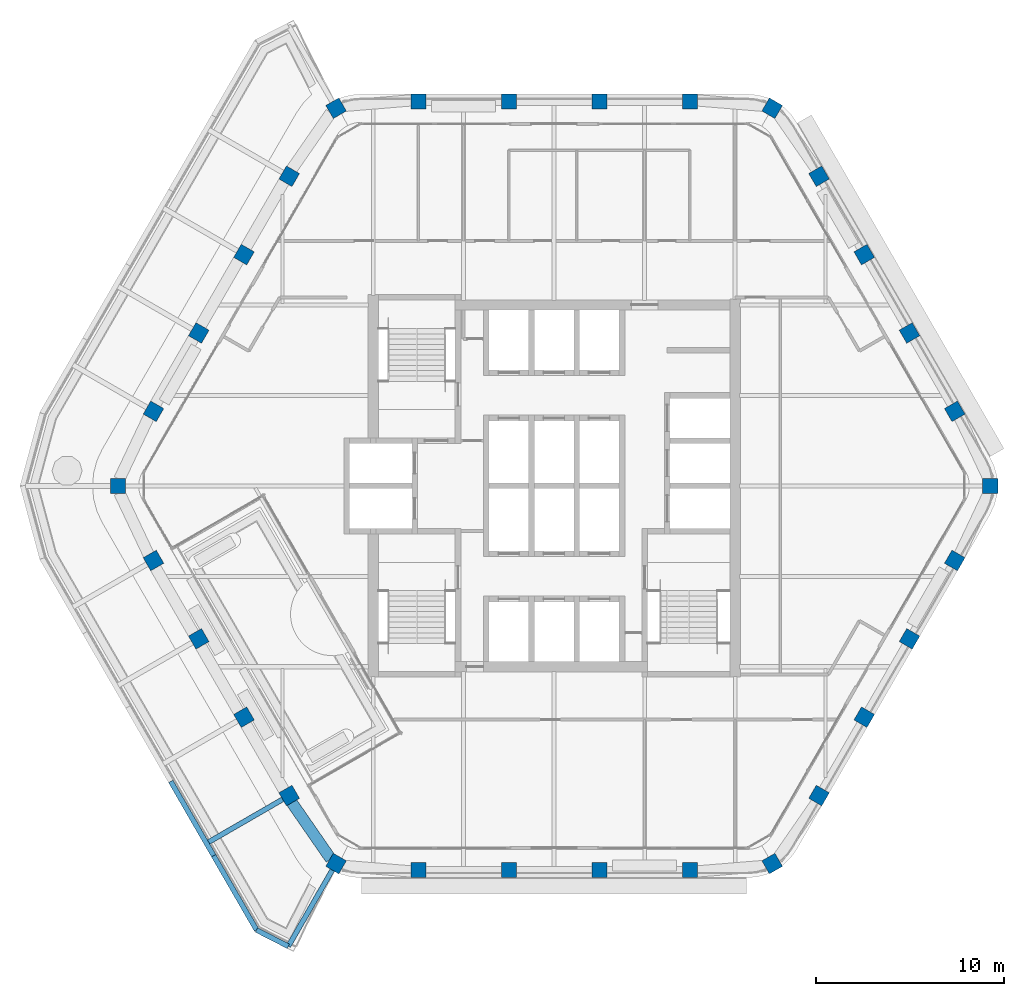
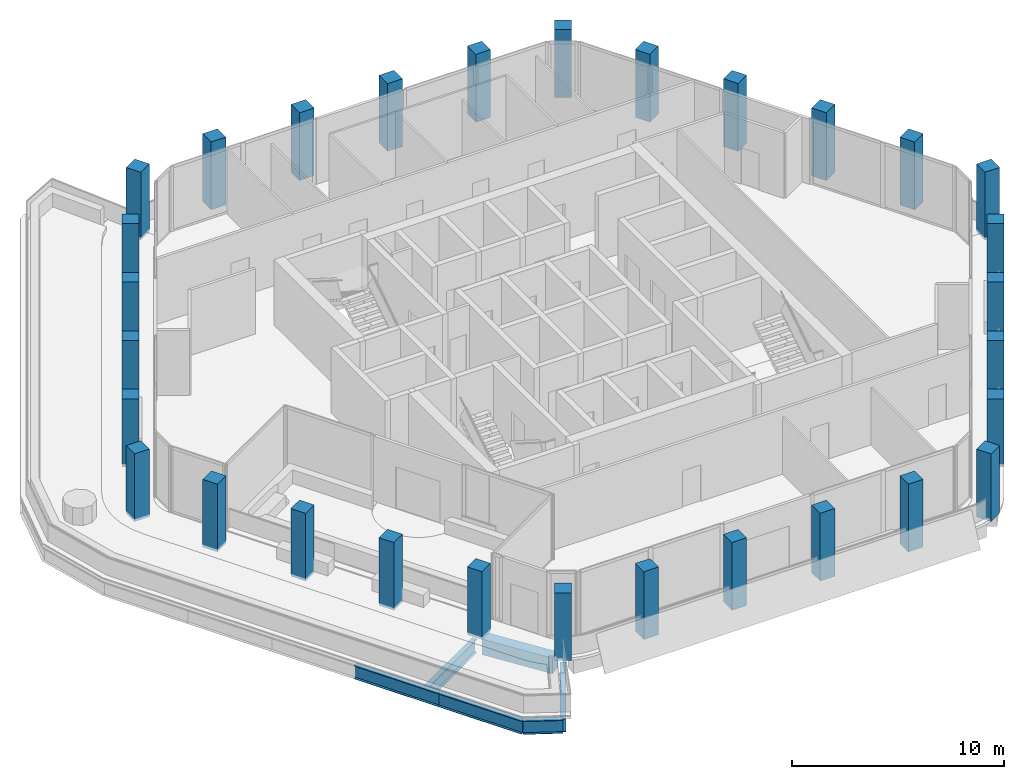
# One storey, part 1 of 15: 30 columns, 6 beams.
"""IFC4 building model written with IfcOpenShell, lengths in metres."""

from ifc_helpers import new_model, si_unit, direction, frame, origin, origin_2d, place, context, subcontext, project, spatial, rectangle, i_section, extrude, material, material_profile, profile_set, type_object, element, save


model = new_model("IFC4")

# Units and contexts
model_context = context("Model", 3, precision=1e-05, world=origin(), true_north=direction((0.0, 1.0)))
body_context = subcontext(model_context, "Body", "Model", "MODEL_VIEW")
ifc_project = project(units=[si_unit("LENGTHUNIT", "METRE"), si_unit("AREAUNIT", "SQUARE_METRE"), si_unit("VOLUMEUNIT", "CUBIC_METRE"), si_unit("PLANEANGLEUNIT", "RADIAN"), si_unit("MASSUNIT", "GRAM", prefix="KILO")], contexts=[model_context])

# Site, building, storey
site_placement = place(None, origin())
site = spatial("IfcSite", under=ifc_project, at=site_placement, CompositionType="ELEMENT")
building_placement = place(site_placement, origin())
building = spatial("IfcBuilding", under=site, at=building_placement, Name="Kolab Exchange Tower", CompositionType="ELEMENT")
storey_placement = place(building_placement, frame((0.0, 0.0, 238.39990234375)))
storey = spatial("IfcBuildingStorey", under=building, at=storey_placement, Name="L52", CompositionType="ELEMENT", Elevation=238.39990234375)

# Columns
ifc_material_1 = material(Name="Concrete C50/60", Category="concrete")
ifc_material_profile_1 = material_profile(ifc_material_1, rectangle(XDim=0.800048828125, YDim=0.800048828125, at=origin_2d()), Name="RC800")
ifc_profile_set_1 = profile_set([ifc_material_profile_1], Name="Concrete C50/60")
column_type = type_object("IfcColumnType", Name="PERIMETER COLUMN 800 SQ C50/60", PredefinedType="COLUMN", material=ifc_profile_set_1)
for number, where, z_axis, x_axis, name in (
    (1, (-11.56787109375, 20.036376953125, -0.14990234375), (0.0, 0.0, 1.0), (0.866025403784, 0.5, 0.0), "col/L52/F1-01"),
    (2, (-7.199951171875, 20.384521484375, -0.14990234375), (0.0, 0.0, 1.0), (1.0, 0.0, 0.0), "col/L52/F1-02"),
    (3, (-2.39990234375, 20.384521484375, -0.14990234375), (0.0, 0.0, 1.0), (1.0, 0.0, 0.0), "col/L52/F1-03"),
    (4, (2.39990234375, 20.384521484375, -0.14990234375), (0.0, 0.0, 1.0), (1.0, 0.0, 0.0), "col/L52/F1-04"),
    (5, (7.199951171875, 20.384521484375, -0.14990234375), (0.0, 0.0, 1.0), (1.0, 0.0, 0.0), "col/L52/F1-05"),
    (6, (11.56787109375, 20.036376953125, -0.14990234375), (0.0, 0.0, 1.0), (0.5, 0.866025403784, 0.0), "col/L52/F2-01"),
    (7, (14.0537109375, 16.427734375, -0.14990234375), (0.0, 0.0, 1.0), (0.866025403784, 0.5, 0.0), "col/L52/F2-02"),
    (8, (16.45361328125, 12.270751953125, -0.14990234375), (0.0, 0.0, 1.0), (0.866025403784, 0.5, 0.0), "col/L52/F2-03"),
    (9, (18.853515625, 8.11376953125, -0.14990234375), (0.0, 0.0, 1.0), (0.866025403784, 0.5, 0.0), "col/L52/F2-04"),
    (10, (21.253662109375, 3.95703125, -0.14990234375), (0.0, 0.0, 1.0), (0.866025403784, 0.5, 0.0), "col/L52/F2-05"),
    (11, (23.135986328125, 0.0, -0.14990234375), (0.0, 0.0, 1.0), (1.0, 0.0, 0.0), "col/L52/F3-01"),
    (12, (21.253662109375, -3.95703125, -0.14990234375), (0.0, 0.0, 1.0), (0.5, 0.866025403784, 0.0), "col/L52/F3-02"),
    (13, (18.853515625, -8.11376953125, -0.14990234375), (0.0, 0.0, 1.0), (0.5, 0.866025403784, 0.0), "col/L52/F3-03"),
    (14, (16.45361328125, -12.270751953125, -0.14990234375), (0.0, 0.0, 1.0), (0.5, 0.866025403784, 0.0), "col/L52/F3-04"),
    (15, (14.0537109375, -16.427734375, -0.14990234375), (0.0, 0.0, 1.0), (0.5, 0.866025403784, 0.0), "col/L52/F3-05"),
    (16, (11.56787109375, -20.036376953125, -0.14990234375), (0.0, 0.0, 1.0), (0.866025403784, 0.5, 0.0), "col/L52/F4-01"),
    (17, (7.199951171875, -20.384521484375, -0.14990234375), (0.0, 0.0, 1.0), (1.0, 0.0, 0.0), "col/L52/F4-02"),
    (18, (2.39990234375, -20.384521484375, -0.14990234375), (0.0, 0.0, 1.0), (1.0, 0.0, 0.0), "col/L52/F4-03"),
    (19, (-2.39990234375, -20.384521484375, -0.14990234375), (0.0, 0.0, 1.0), (1.0, 0.0, 0.0), "col/L52/F4-04"),
    (20, (-7.199951171875, -20.384521484375, -0.14990234375), (0.0, 0.0, 1.0), (1.0, 0.0, 0.0), "col/L52/F4-05"),
    (21, (-11.56787109375, -20.036376953125, -0.14990234375), (0.0, 0.0, 1.0), (0.5, 0.866025403784, 0.0), "col/L52/F5-01"),
    (22, (-14.0537109375, -16.427734375, -0.14990234375), (0.0, 0.0, 1.0), (0.866025403784, 0.5, 0.0), "col/L52/F5-02"),
    (23, (-16.45361328125, -12.270751953125, -0.14990234375), (0.0, 0.0, 1.0), (0.866025403784, 0.5, 0.0), "col/L52/F5-03"),
    (24, (-18.853515625, -8.11376953125, -0.14990234375), (0.0, 0.0, 1.0), (0.866025403784, 0.5, 0.0), "col/L52/F5-04"),
    (25, (-21.253662109375, -3.95703125, -0.14990234375), (0.0, 0.0, 1.0), (0.866025403784, 0.5, 0.0), "col/L52/F5-05"),
    (26, (-23.135986328125, 0.0, -0.14990234375), (0.0, 0.0, 1.0), (1.0, 0.0, 0.0), "col/L52/F6-01"),
    (27, (-21.253662109375, 3.95703125, -0.14990234375), (0.0, 0.0, 1.0), (0.5, 0.866025403784, 0.0), "col/L52/F6-02"),
    (28, (-18.853515625, 8.11376953125, -0.14990234375), (0.0, 0.0, 1.0), (0.5, 0.866025403784, 0.0), "col/L52/F6-03"),
    (29, (-16.45361328125, 12.270751953125, -0.14990234375), (0.0, 0.0, 1.0), (0.5, 0.866025403784, 0.0), "col/L52/F6-04"),
    (30, (-14.0537109375, 16.427734375, -0.14990234375), (0.0, 0.0, 1.0), (0.5, 0.866025403784, 0.0), "col/L52/F6-05"),
):
    element("IfcColumn", number, at=place(storey_placement, frame(where, z_axis=z_axis, x_axis=x_axis)), inside=storey, type_object=column_type, Name=name, PredefinedType="COLUMN", context=body_context, shape_type="SweptSolid", body=[
        extrude(rectangle(XDim=0.800048828125, YDim=0.800048828125, at=origin_2d()), origin(), (0.0, 0.0, 1.0), 3.89990234375),
    ])

# Beams
ifc_material_2 = material(Name="Steel S355", Category="steel")
ifc_material_profile_2 = material_profile(ifc_material_2, i_section(OverallWidth=0.26708984375, OverallDepth=0.761962890625, WebThickness=0.014404296875, FlangeThickness=0.021484375, at=origin_2d()), Name="W760X173")
ifc_profile_set_2 = profile_set([ifc_material_profile_2], Name="Steel S355")
beam_type_1 = type_object("IfcBeamType", Name="FLOOR GIRDER W760X173", PredefinedType="BEAM", material=ifc_profile_set_2)
beam_1_placement = place(storey_placement, frame((-11.767822265625, -20.3828125, -0.5908203125), z_axis=(-0.500043984474, -0.866000007847, 0.0), x_axis=(0.866000007847, -0.500043984474, 0.0)))
element("IfcBeam", 31, at=beam_1_placement, inside=storey, type_object=beam_type_1, Name="beam/L52/ledge/rib-00", PredefinedType="BEAM", context=body_context, shape_type="SweptSolid", body=[
    extrude(i_section(OverallWidth=0.26708984375, OverallDepth=0.761962890625, WebThickness=0.014404296875, FlangeThickness=0.021484375, at=origin_2d()), origin(), (0.0, 0.0, 1.0), 4.66650390625),
])
beam_2_placement = place(storey_placement, frame((-14.39990234375, -16.627685546875, -0.5908203125), z_axis=(-0.866020560687, -0.500008388397, 0.0), x_axis=(0.500008388397, -0.866020560687, 0.0)))
element("IfcBeam", 32, at=beam_2_placement, inside=storey, type_object=beam_type_1, Name="beam/L52/ledge/rib-01", PredefinedType="BEAM", context=body_context, shape_type="SweptSolid", body=[
    extrude(i_section(OverallWidth=0.26708984375, OverallDepth=0.761962890625, WebThickness=0.014404296875, FlangeThickness=0.021484375, at=origin_2d()), origin(), (0.0, 0.0, 1.0), 4.533203125),
])
beam_3_placement = place(storey_placement, frame((-14.101318359375, -24.42431640625, -0.5908203125), z_axis=(-0.889892665835, 0.456169971933, 0.0), x_axis=(-0.456169971933, -0.889892665835, 0.0)))
element("IfcBeam", 33, at=beam_3_placement, inside=storey, type_object=beam_type_1, Name="beam/L52/ledge/edge-00", PredefinedType="BEAM", context=body_context, shape_type="SweptSolid", body=[
    extrude(i_section(OverallWidth=0.26708984375, OverallDepth=0.761962890625, WebThickness=0.014404296875, FlangeThickness=0.021484375, at=origin_2d()), origin(), (0.0, 0.0, 1.0), 1.892333984375),
])
beam_4_placement = place(storey_placement, frame((-15.785400390625, -23.56103515625, -0.5908203125), z_axis=(-0.500014901547, 0.866016800201, 0.0), x_axis=(-0.866016800201, -0.500014901547, 0.0)))
element("IfcBeam", 34, at=beam_4_placement, inside=storey, type_object=beam_type_1, Name="beam/L52/ledge/edge-01", PredefinedType="BEAM", context=body_context, shape_type="SweptSolid", body=[
    extrude(i_section(OverallWidth=0.26708984375, OverallDepth=0.761962890625, WebThickness=0.014404296875, FlangeThickness=0.021484375, at=origin_2d()), origin(), (0.0, 0.0, 1.0), 4.552490234375),
])
beam_5_placement = place(storey_placement, frame((-18.061767578125, -19.618408203125, -0.5908203125), z_axis=(-0.499997902498, 0.866026614774, 0.0), x_axis=(-0.866026614774, -0.499997902498, 0.0)))
element("IfcBeam", 35, at=beam_5_placement, inside=storey, type_object=beam_type_1, Name="beam/L52/ledge/edge-02", PredefinedType="BEAM", context=body_context, shape_type="SweptSolid", body=[
    extrude(i_section(OverallWidth=0.26708984375, OverallDepth=0.761962890625, WebThickness=0.014404296875, FlangeThickness=0.021484375, at=origin_2d()), origin(), (0.0, 0.0, 1.0), 4.55224609375),
])
ifc_material_profile_3 = material_profile(ifc_material_1, rectangle(XDim=0.60009765625, YDim=0.89990234375, at=origin_2d()), Name="RC600X900")
ifc_profile_set_3 = profile_set([ifc_material_profile_3], Name="Concrete C50/60")
beam_type_2 = type_object("IfcBeamType", Name="SPANDREL BEAM 600X900 C50/60", PredefinedType="BEAM", material=ifc_profile_set_3)
beam_6_placement = place(storey_placement, frame((-11.846923828125, -19.7919921875, -0.599853515625), z_axis=(-0.569005808573, 0.822333502789, 0.0), x_axis=(-0.822333502789, -0.569005808573, 0.0)))
element("IfcBeam", 36, at=beam_6_placement, inside=storey, type_object=beam_type_2, Name="beam/L52/sp/F5-01", PredefinedType="BEAM", context=body_context, shape_type="SweptSolid", body=[
    extrude(rectangle(XDim=0.60009765625, YDim=0.89990234375, at=origin_2d()), origin(), (0.0, 0.0, 1.0), 3.6689453125),
])

save(model, "model.ifc")
